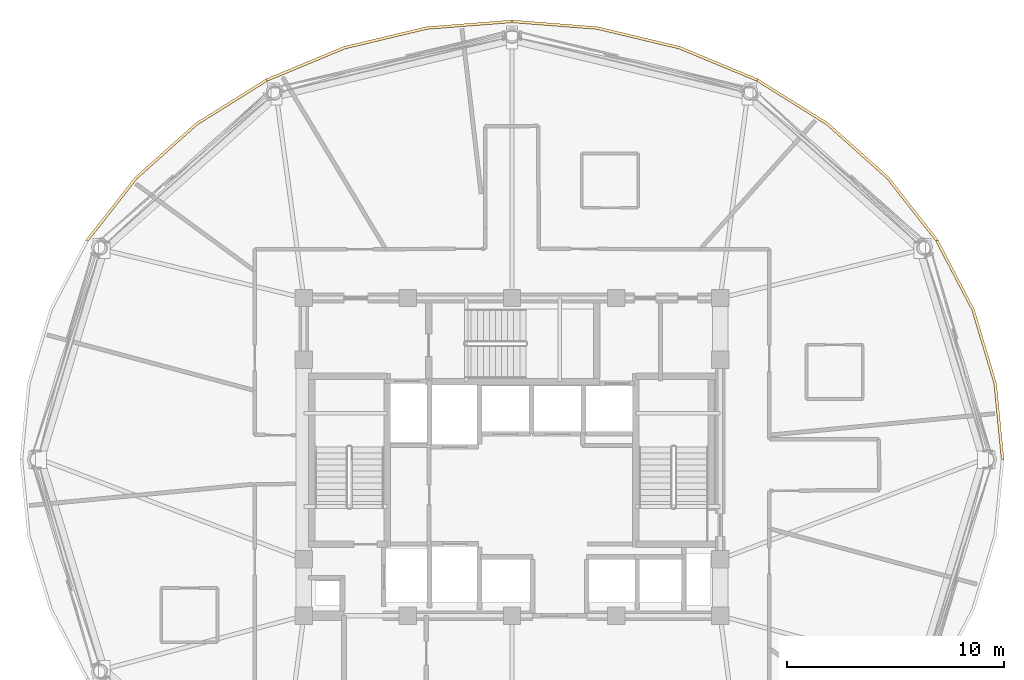
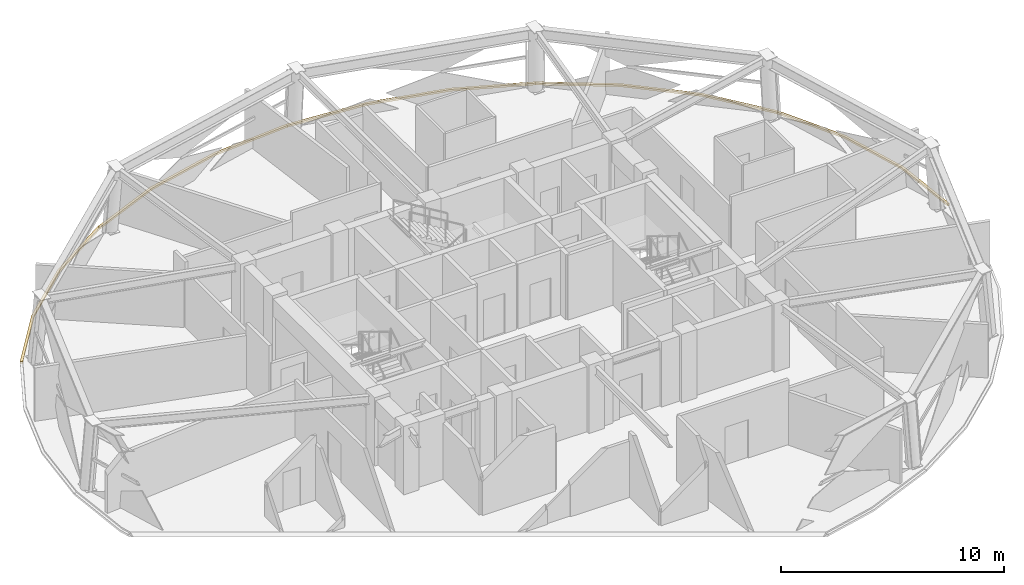
# One storey, part 11 of 11: 5 coverings.
"""IFC4 building model written with IfcOpenShell, lengths in metres."""

from ifc_helpers import new_model, si_unit, direction, frame, origin, place, context, subcontext, project, spatial, polyline, outline, extrude, material, layer, layer_set, type_object, element, save


model = new_model("IFC4")

# Units and contexts
model_context = context("Model", 3, precision=1e-05, world=origin(), true_north=direction((0.0, 1.0)))
body_context = subcontext(model_context, "Body", "Model", "MODEL_VIEW")
ifc_project = project(units=[si_unit("LENGTHUNIT", "METRE"), si_unit("AREAUNIT", "SQUARE_METRE"), si_unit("VOLUMEUNIT", "CUBIC_METRE"), si_unit("PLANEANGLEUNIT", "RADIAN"), si_unit("MASSUNIT", "GRAM", prefix="KILO")], contexts=[model_context])

# Site, building, storey
site_placement = place(None, origin())
site = spatial("IfcSite", under=ifc_project, at=site_placement, CompositionType="ELEMENT")
building_placement = place(site_placement, origin())
building = spatial("IfcBuilding", under=site, at=building_placement, Name="Vantalir Tower", CompositionType="ELEMENT")
storey_placement = place(building_placement, frame((0.0, 0.0, 231.14990234375)))
storey = spatial("IfcBuildingStorey", under=building, at=storey_placement, Name="L58", CompositionType="ELEMENT", Elevation=231.14990234375)

# Coverings
ifc_material = material(Name="Anodised champagne aluminium sill fascia", Category="aluminium")
ifc_layer = layer(ifc_material, 0.125)
ifc_layer_set = layer_set([ifc_layer], Name="Anodised champagne aluminium sill fascia")
covering_type = type_object("IfcCoveringType", Name="COV-SLAB-FASCIA-125", PredefinedType="CLADDING", material=ifc_layer_set)
covering_1_placement = place(storey_placement, frame((0.0, 0.0, -0.179931640625)))
element("IfcCovering", 1, at=covering_1_placement, inside=storey, type_object=covering_type, Name="L58 Perimeter Slab-Edge Sill Fascia 01", PredefinedType="CLADDING", context=body_context, shape_type="SweptSolid", body=[
    extrude(outline(polyline([(54.18798828125, 25.0), (53.843017578125, 28.52001953125), (52.820068359375, 31.93310546875), (51.14794921875, 35.135009765625), (51.0400390625, 35.072998046875), (52.701904296875, 31.889892578125), (53.719970703125, 28.498046875), (54.06298828125, 25.0), (54.18798828125, 25.0)])), origin(), (0.0, 0.0, 1.0), 0.10498046875),
])
covering_2_placement = place(storey_placement, frame((0.0, 0.0, -0.179931640625)))
element("IfcCovering", 2, at=covering_2_placement, inside=storey, type_object=covering_type, Name="L58 Perimeter Slab-Edge Sill Fascia 02", PredefinedType="CLADDING", context=body_context, shape_type="SweptSolid", body=[
    extrude(outline(polyline([(51.14794921875, 35.135009765625), (48.8798828125, 38.030029296875), (46.083984375, 40.528076171875), (42.843994140625, 42.554931640625), (42.781982421875, 42.447021484375), (46.0029296875, 40.43310546875), (48.783935546875, 37.949951171875), (51.0400390625, 35.072998046875), (51.14794921875, 35.135009765625)])), origin(), (0.0, 0.0, 1.0), 0.10498046875),
])
covering_3_placement = place(storey_placement, frame((0.0, 0.0, -0.179931640625)))
element("IfcCovering", 3, at=covering_3_placement, inside=storey, type_object=covering_type, Name="L58 Perimeter Slab-Edge Sill Fascia 03", PredefinedType="CLADDING", context=body_context, shape_type="SweptSolid", body=[
    extrude(outline(polyline([(42.843994140625, 42.554931640625), (39.260009765625, 44.049072265625), (35.43994140625, 44.962890625), (31.5, 45.27099609375), (31.5, 45.14599609375), (35.41796875, 44.840087890625), (39.217041015625, 43.930908203125), (42.781982421875, 42.447021484375), (42.843994140625, 42.554931640625)])), origin(), (0.0, 0.0, 1.0), 0.10498046875),
])
covering_4_placement = place(storey_placement, frame((0.0, 0.0, -0.179931640625)))
element("IfcCovering", 4, at=covering_4_placement, inside=storey, type_object=covering_type, Name="L58 Perimeter Slab-Edge Sill Fascia 04", PredefinedType="CLADDING", context=body_context, shape_type="SweptSolid", body=[
    extrude(outline(polyline([(31.5, 45.27099609375), (27.56005859375, 44.962890625), (23.739990234375, 44.049072265625), (20.156005859375, 42.554931640625), (20.218994140625, 42.447021484375), (23.782958984375, 43.930908203125), (27.58203125, 44.840087890625), (31.5, 45.14599609375), (31.5, 45.27099609375)])), origin(), (0.0, 0.0, 1.0), 0.10498046875),
])
covering_5_placement = place(storey_placement, frame((0.0, 0.0, -0.179931640625)))
element("IfcCovering", 5, at=covering_5_placement, inside=storey, type_object=covering_type, Name="L58 Perimeter Slab-Edge Sill Fascia 05", PredefinedType="CLADDING", context=body_context, shape_type="SweptSolid", body=[
    extrude(outline(polyline([(20.156005859375, 42.554931640625), (16.916015625, 40.528076171875), (14.1201171875, 38.030029296875), (11.85205078125, 35.135009765625), (11.9599609375, 35.072998046875), (14.216064453125, 37.949951171875), (16.9970703125, 40.43310546875), (20.218994140625, 42.447021484375), (20.156005859375, 42.554931640625)])), origin(), (0.0, 0.0, 1.0), 0.10498046875),
])

save(model, "model.ifc")
